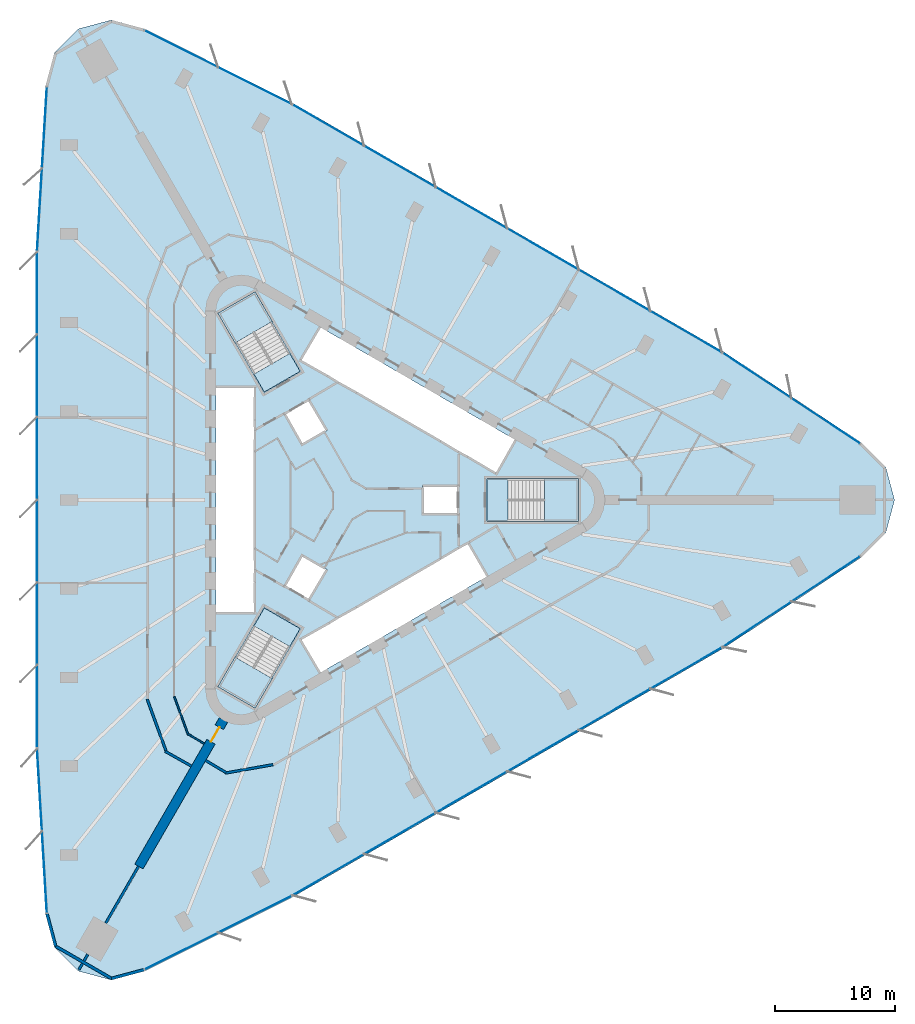
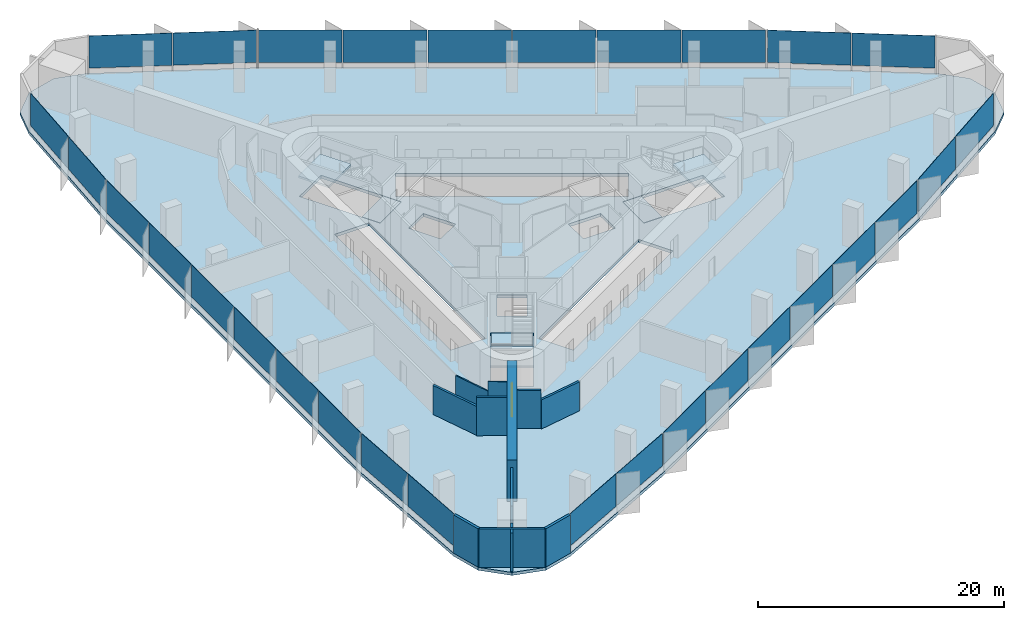
# One storey, part 8 of 14: 30 plates, 13 walls, 7 slabs, 1 door, 1 opening, 12 elements without a shape of their own.
"""IFC4 building model written with IfcOpenShell, lengths in metres."""

import ifcopenshell
import ifcopenshell.guid

model = None  # the IFC model being written
_history = None  # IfcOwnerHistory: only IFC2X3 demands one
_inside = {}  # id of a spatial element -> (the spatial element, [elements in it])
_under = {}  # id of a project, library or spatial element -> (it, [spatial elements below it])
_declared = {}  # id of a project -> (the project, [libraries it declares])
_typed = {}  # id of a type object -> (the type object, [elements of that type])
_made_of = {}  # id of a material, layer set ... -> (it, [elements and type objects made of it])


def new_model(schema):
    """Start an empty IFC model of exactly this schema.

    Asked for "IFC4X3", IfcOpenShell would pick the latest addendum, in which some entities
    have other attributes; the version numbers below select the first issue.
    IFC2X3 requires an IfcOwnerHistory on every rooted entity: one is made here for all.
    """
    global model, _history
    if schema == "IFC4X3":
        model = ifcopenshell.file(schema_version=(4, 3, 0, 0))
    else:
        model = ifcopenshell.file(schema=schema)
    _inside.clear()
    _under.clear()
    _declared.clear()
    _typed.clear()
    _made_of.clear()
    _history = None
    if model.schema == "IFC2X3":
        org = make("IfcOrganization", Name="unknown")
        user = make(
            "IfcPersonAndOrganization",
            ThePerson=make("IfcPerson", FamilyName="unknown"),
            TheOrganization=org,
        )
        app = make(
            "IfcApplication",
            ApplicationDeveloper=org,
            Version="unknown",
            ApplicationFullName="unknown",
            ApplicationIdentifier="unknown",
        )
        _history = make(
            "IfcOwnerHistory",
            OwningUser=user,
            OwningApplication=app,
            ChangeAction="ADDED",
            CreationDate=0,
        )
    return model


def make(cls, **values):
    """One entity of the class cls with the attributes given. An attribute that is None is left unset."""
    return model.create_entity(
        cls, **{name: value for name, value in values.items() if value is not None}
    )


def rooted(cls, **values):
    """An entity with a GlobalId (a new one), such as an element, a storey or a relation."""
    return make(cls, GlobalId=ifcopenshell.guid.new(), OwnerHistory=_history, **values)


def si_unit(unit_type, name, prefix=None):
    """IfcSIUnit, for example si_unit("LENGTHUNIT", "METRE", prefix="MILLI")."""
    return make("IfcSIUnit", UnitType=unit_type, Prefix=prefix, Name=name)


def assignment(units):
    """IfcUnitAssignment: the units of a project."""
    return None if units is None else make("IfcUnitAssignment", Units=units)


def point(xyz):
    """IfcCartesianPoint."""
    return None if xyz is None else make("IfcCartesianPoint", Coordinates=xyz)


def direction(xyz):
    """IfcDirection."""
    return None if xyz is None else make("IfcDirection", DirectionRatios=xyz)


def frame(location, z_axis=None, x_axis=None):
    """IfcAxis2Placement3D, a coordinate frame: its origin and axes. An axis left out is left unset."""
    return make(
        "IfcAxis2Placement3D",
        Location=point(location),
        Axis=direction(z_axis),
        RefDirection=direction(x_axis),
    )


def frame_2d(location, x_axis=None):
    """IfcAxis2Placement2D, a coordinate frame in the plane: its origin and x axis."""
    return make(
        "IfcAxis2Placement2D", Location=point(location), RefDirection=direction(x_axis)
    )


def origin():
    """The frame at (0, 0, 0) with its axes left unset."""
    return frame((0.0, 0.0, 0.0))


def origin_2d():
    """The frame at (0, 0) in the plane with its x axis left unset."""
    return frame_2d((0.0, 0.0))


def place(relative_to, where):
    """IfcLocalPlacement: puts the frame where relative to a parent placement (None: the world)."""
    return make(
        "IfcLocalPlacement", PlacementRelTo=relative_to, RelativePlacement=where
    )


def context(
    kind, dimensions, precision=None, world=None, true_north=None, identifier=None
):
    """IfcGeometricRepresentationContext, for example the 3D "Model" context."""
    return make(
        "IfcGeometricRepresentationContext",
        ContextIdentifier=identifier,
        ContextType=kind,
        CoordinateSpaceDimension=dimensions,
        Precision=precision,
        WorldCoordinateSystem=world,
        TrueNorth=true_north,
    )


def subcontext(parent, identifier, kind, view, scale=None):
    """IfcGeometricRepresentationSubContext, for example "Body" below "Model"."""
    return make(
        "IfcGeometricRepresentationSubContext",
        ContextIdentifier=identifier,
        ContextType=kind,
        ParentContext=parent,
        TargetScale=scale,
        TargetView=view,
    )


def project(units=None, contexts=None):
    """IfcProject with its units and contexts."""
    return rooted(
        "IfcProject",
        Name="project",
        RepresentationContexts=contexts,
        UnitsInContext=assignment(units),
    )


def spatial(cls, under=None, at=None, **own):
    """A site, building, storey or space (cls), placed at a placement, below another one or the project."""
    s = rooted(cls, ObjectPlacement=at, **own)
    if under is not None:
        _under.setdefault(under.id(), (under, []))[1].append(s)
    return s


def polyline(points):
    """IfcPolyline through the points."""
    return make("IfcPolyline", Points=[point(p) for p in points])


def profile(cls, at=None, kind="AREA", **sizes):
    """A parametric profile (cls). Its sizes go by their IFC names, for example OverallWidth=200.0."""
    return make(cls, ProfileType=kind, Position=at, **sizes)


def rectangle(**sizes):
    """IfcRectangleProfileDef."""
    return profile("IfcRectangleProfileDef", **sizes)


def outline(outer, holes=None, kind="AREA"):
    """IfcArbitraryClosedProfileDef: a profile drawn as a closed curve; with holes, ...WithVoids."""
    if holes is None:
        return make("IfcArbitraryClosedProfileDef", ProfileType=kind, OuterCurve=outer)
    return make(
        "IfcArbitraryProfileDefWithVoids",
        ProfileType=kind,
        OuterCurve=outer,
        InnerCurves=holes,
    )


def extrude(swept, where, along, depth):
    """IfcExtrudedAreaSolid: the profile swept, set in the frame where, extruded along a direction by depth."""
    return make(
        "IfcExtrudedAreaSolid",
        SweptArea=swept,
        Position=where,
        ExtrudedDirection=direction(along),
        Depth=depth,
    )


def shape(context_of_items, identifier, shape_type, items):
    """IfcShapeRepresentation: the items that make up one representation, for example the "Body"."""
    return make(
        "IfcShapeRepresentation",
        ContextOfItems=context_of_items,
        RepresentationIdentifier=identifier,
        RepresentationType=shape_type,
        Items=items,
    )


def material(Name=None, Category=None):
    """IfcMaterial."""
    return make("IfcMaterial", Name=Name, Category=Category)


def layer(
    of_material, thickness, ventilated=None, Name=None, Category=None, Priority=None
):
    """IfcMaterialLayer: one layer of a wall or slab, of a material (None: an air gap)."""
    return make(
        "IfcMaterialLayer",
        Material=of_material,
        LayerThickness=thickness,
        IsVentilated=ventilated,
        Name=Name,
        Category=Category,
        Priority=Priority,
    )


def layer_set(layers, Name=None):
    """IfcMaterialLayerSet."""
    return make("IfcMaterialLayerSet", MaterialLayers=layers, LayerSetName=Name)


def made_of(thing, what):
    """Note that an element or type object is made of a material, layer set ...; save() writes the relation."""
    if what is not None:
        _made_of.setdefault(what.id(), (what, []))[1].append(thing)
    return thing


def type_object(cls, material=None, **own):
    """A type object (cls), such as IfcWallType, which elements share."""
    return made_of(rooted(cls, **own), material)


def element(
    cls,
    number,
    at=None,
    inside=None,
    cuts=None,
    type_object=None,
    material=None,
    context=None,
    identifier="Body",
    shape_type=None,
    held_by="IfcProductDefinitionShape",
    body=None,
    shapes=None,
    **own,
):
    """One element of the class cls, such as IfcWall. Its Tag is "e" and its number.

    at: its placement. inside: the storey or other place that contains it. cuts: it is an
    opening in that element (IfcRelVoidsElement). A single representation is given by context,
    identifier, shape_type and body (its items); several are given by shapes. held_by: the class
    of the entity that holds the representations. save() writes the other relations.
    """
    e = rooted(cls, Tag="e%d" % number, ObjectPlacement=at, **own)
    if body is not None:
        shapes = [shape(context, identifier, shape_type, body)]
    if shapes is not None:
        e.Representation = make(held_by, Representations=shapes)
    if inside is not None:
        _inside.setdefault(inside.id(), (inside, []))[1].append(e)
    if cuts is not None:
        rooted(
            "IfcRelVoidsElement", RelatingBuildingElement=cuts, RelatedOpeningElement=e
        )
    if type_object is not None:
        _typed.setdefault(type_object.id(), (type_object, []))[1].append(e)
    return made_of(e, material)


def fill(opening, filler):
    """IfcRelFillsElement: the door or window that sits in an opening."""
    return rooted(
        "IfcRelFillsElement",
        RelatingOpeningElement=opening,
        RelatedBuildingElement=filler,
    )


def aggregate(whole, parts):
    """IfcRelAggregates: a whole, such as a stair, and the parts it consists of."""
    return rooted("IfcRelAggregates", RelatingObject=whole, RelatedObjects=parts)


def save(model, path):
    """Write the relations noted so far, then the file.

    IfcRelAggregates (storeys below a building ...), IfcRelContainedInSpatialStructure (elements
    in a storey), IfcRelDefinesByType, IfcRelAssociatesMaterial and IfcRelDeclares: one each for
    every whole, place, type object, material and project.
    """
    for whole, parts in _under.values():
        aggregate(whole, parts)
    for where, things in _inside.values():
        rooted(
            "IfcRelContainedInSpatialStructure",
            RelatedElements=things,
            RelatingStructure=where,
        )
    for kind, things in _typed.values():
        rooted("IfcRelDefinesByType", RelatedObjects=things, RelatingType=kind)
    for what, things in _made_of.values():
        rooted("IfcRelAssociatesMaterial", RelatedObjects=things, RelatingMaterial=what)
    for by, libraries in _declared.values():
        rooted("IfcRelDeclares", RelatingContext=by, RelatedDefinitions=libraries)
    model.write(path)


model = new_model("IFC4")

# Units and contexts
model_context = context("Model", 3, precision=1e-05, world=origin(), true_north=direction((0.0, 1.0)))
body_context = subcontext(model_context, "Body", "Model", "MODEL_VIEW")
ifc_project = project(units=[si_unit("LENGTHUNIT", "METRE"), si_unit("AREAUNIT", "SQUARE_METRE"), si_unit("VOLUMEUNIT", "CUBIC_METRE"), si_unit("PLANEANGLEUNIT", "RADIAN"), si_unit("MASSUNIT", "GRAM", prefix="KILO")], contexts=[model_context])

# Site, building, storey
site_placement = place(None, origin())
site = spatial("IfcSite", under=ifc_project, at=site_placement, CompositionType="ELEMENT")
building_placement = place(site_placement, origin())
building = spatial("IfcBuilding", under=site, at=building_placement, Name="Tanit Gate Tower", CompositionType="ELEMENT")
storey_placement = place(building_placement, frame((0.0, 0.0, 49.60009765625)))
storey = spatial("IfcBuildingStorey", under=building, at=storey_placement, Name="L08", CompositionType="ELEMENT", Elevation=49.60009765625)

# Slab
ifc_material_1 = material(Name="Concrete C35/45", Category="concrete")
ifc_layer_1 = layer(ifc_material_1, 0.300048828125)
ifc_layer_set_1 = layer_set([ifc_layer_1], Name="FLOOR SLAB 300 C35/45")
slab_type_1 = type_object("IfcSlabType", Name="FLOOR SLAB 300 C35/45", PredefinedType="FLOOR", material=ifc_layer_set_1)
slab_1_placement = place(storey_placement, frame((0.0, 0.0, -0.300048828125)))
element("IfcSlab", 1, at=slab_1_placement, inside=storey, type_object=slab_type_1, Name="FLOOR SLAB L08", PredefinedType="FLOOR", context=body_context, shape_type="SweptSolid", body=[
    extrude(outline(polyline([(42.5634765625, 4.75927734375), (44.574951171875, 2.747802734375), (45.311279296875, 0.0), (44.574951171875, -2.747802734375), (42.5634765625, -4.75927734375), (31.030517578125, -12.368896484375), (-4.80224609375, -33.06005859375), (-17.16015625, -39.24072265625), (-19.907958984375, -39.97705078125), (-22.655517578125, -39.24072265625), (-24.6669921875, -37.229248046875), (-25.4033203125, -34.4814453125), (-26.22705078125, -20.68896484375), (-26.229736328125, 20.68896484375), (-25.4033203125, 34.4814453125), (-24.6669921875, 37.229248046875), (-22.655517578125, 39.24072265625), (-19.907958984375, 39.97705078125), (-17.16015625, 39.24072265625), (-4.8037109375, 33.0576171875), (31.031982421875, 12.371337890625), (42.5634765625, 4.75927734375)]), holes=[polyline([(11.3701171875, 1.72998046875), (18.929931640625, 1.72998046875), (18.929931640625, -1.72998046875), (11.3701171875, -1.72998046875), (11.3701171875, 1.72998046875)]), polyline([(-4.208984375, 11.60986328125), (-2.583984375, 14.424560546875), (13.783935546875, 4.974609375), (12.158935546875, 2.159912109375), (-4.208984375, 11.60986328125)]), polyline([(-4.208984375, -11.60986328125), (9.82080078125, -3.510009765625), (11.44580078125, -6.324462890625), (-2.583984375, -14.424560546875), (-4.208984375, -11.60986328125)]), polyline([(9.0, 1.199951171875), (9.0, -1.199951171875), (6.0, -1.199951171875), (6.0, 1.199951171875), (9.0, 1.199951171875)]), polyline([(-5.539306640625, 7.194091796875), (-3.460693359375, 8.394287109375), (-1.960693359375, 5.796142578125), (-4.039306640625, 4.59619140625), (-5.539306640625, 7.194091796875)]), polyline([(-1.960693359375, -5.796142578125), (-3.460693359375, -8.394287109375), (-5.539306640625, -7.194091796875), (-4.039306640625, -4.59619140625), (-1.960693359375, -5.796142578125)]), polyline([(-10.963134765625, 15.52880859375), (-7.966796875, 17.2587890625), (-4.186767578125, 10.711669921875), (-7.18310546875, 8.981689453125), (-10.963134765625, 15.52880859375)]), polyline([(-4.186767578125, -10.711669921875), (-7.966796875, -17.2587890625), (-10.963134765625, -15.52880859375), (-7.18310546875, -8.981689453125), (-4.186767578125, -10.711669921875)]), polyline([(-11.199951171875, -9.449951171875), (-11.199951171875, 9.449951171875), (-7.949951171875, 9.449951171875), (-7.949951171875, -9.449951171875), (-11.199951171875, -9.449951171875)])]), origin(), (0.0, 0.0, 1.0), 0.300048828125),
])

# Curtain wall, plates
ifc_material_2 = material(Name="Aluminium bronze anodised and glass", Category="aluminium")
curtain_wall_type = type_object("IfcCurtainWallType", Name="Curtain wall typical low", PredefinedType="NOTDEFINED", material=ifc_material_2)
curtain_wall_1_placement = place(storey_placement, origin())
curtain_wall_1 = element("IfcCurtainWall", 2, at=curtain_wall_1_placement, inside=storey, type_object=curtain_wall_type, Name="Curtain wall L08 NE1", PredefinedType="NOTDEFINED")
ifc_material_3 = material(Name="Glass tinted", Category="glass")
ifc_layer_2 = layer(ifc_material_3, 0.031982421875)
ifc_layer_set_2 = layer_set([ifc_layer_2], Name="Glass panel 32 typical low")
plate_type = type_object("IfcPlateType", Name="Glass panel 32 typical low", PredefinedType="CURTAIN_PANEL", material=ifc_layer_set_2)
plate_1_placement = place(storey_placement, frame((39.591064453125, 6.57763671875, 0.60009765625), z_axis=(0.0, 0.0, 1.0), x_axis=(-0.834569178545, 0.550903155031, 0.0)))
plate_1 = element("IfcPlate", 3, at=plate_1_placement, type_object=plate_type, Name="Glass panel L08 NE1.1", PredefinedType="CURTAIN_PANEL", context=body_context, shape_type="SweptSolid", body=[
    extrude(rectangle(XDim=6.78076171875, YDim=0.031982421875, at=origin_2d()), origin(), (0.0, 0.0, 1.0), 3.199951171875),
])
plate_2_placement = place(storey_placement, frame((33.865234375, 10.357421875, 0.60009765625), z_axis=(0.0, 0.0, 1.0), x_axis=(-0.834569178545, 0.550903155031, 0.0)))
plate_2 = element("IfcPlate", 4, at=plate_2_placement, type_object=plate_type, Name="Glass panel L08 NE1.2", PredefinedType="CURTAIN_PANEL", context=body_context, shape_type="SweptSolid", body=[
    extrude(rectangle(XDim=6.78076171875, YDim=0.031982421875, at=origin_2d()), origin(), (0.0, 0.0, 1.0), 3.199951171875),
])
aggregate(curtain_wall_1, [plate_1, plate_2])

curtain_wall_2_placement = place(storey_placement, origin())
curtain_wall_2 = element("IfcCurtainWall", 5, at=curtain_wall_2_placement, inside=storey, type_object=curtain_wall_type, Name="Curtain wall L08 NE2", PredefinedType="NOTDEFINED")
plate_3_placement = place(storey_placement, frame((27.954345703125, 14.00927734375, 0.60009765625), z_axis=(0.0, 0.0, 1.0), x_axis=(-0.866060071089, 0.49993994966, 0.0)))
plate_3 = element("IfcPlate", 6, at=plate_3_placement, type_object=plate_type, Name="Glass panel L08 NE2.1", PredefinedType="CURTAIN_PANEL", context=body_context, shape_type="SweptSolid", body=[
    extrude(rectangle(XDim=6.8017578125, YDim=0.031982421875, at=origin_2d()), origin(), (0.0, 0.0, 1.0), 3.199951171875),
])
plate_4_placement = place(storey_placement, frame((21.994140625, 17.449951171875, 0.60009765625), z_axis=(0.0, 0.0, 1.0), x_axis=(-0.866060071089, 0.49993994966, 0.0)))
plate_4 = element("IfcPlate", 7, at=plate_4_placement, type_object=plate_type, Name="Glass panel L08 NE2.2", PredefinedType="CURTAIN_PANEL", context=body_context, shape_type="SweptSolid", body=[
    extrude(rectangle(XDim=6.8017578125, YDim=0.031982421875, at=origin_2d()), origin(), (0.0, 0.0, 1.0), 3.199951171875),
])
plate_5_placement = place(storey_placement, frame((16.0341796875, 20.890380859375, 0.60009765625), z_axis=(0.0, 0.0, 1.0), x_axis=(-0.866060071089, 0.49993994966, 0.0)))
plate_5 = element("IfcPlate", 8, at=plate_5_placement, type_object=plate_type, Name="Glass panel L08 NE2.3", PredefinedType="CURTAIN_PANEL", context=body_context, shape_type="SweptSolid", body=[
    extrude(rectangle(XDim=6.8017578125, YDim=0.031982421875, at=origin_2d()), origin(), (0.0, 0.0, 1.0), 3.199951171875),
])
plate_6_placement = place(storey_placement, frame((10.07421875, 24.330810546875, 0.60009765625), z_axis=(0.0, 0.0, 1.0), x_axis=(-0.866060071089, 0.49993994966, 0.0)))
plate_6 = element("IfcPlate", 9, at=plate_6_placement, type_object=plate_type, Name="Glass panel L08 NE2.4", PredefinedType="CURTAIN_PANEL", context=body_context, shape_type="SweptSolid", body=[
    extrude(rectangle(XDim=6.8017578125, YDim=0.031982421875, at=origin_2d()), origin(), (0.0, 0.0, 1.0), 3.199951171875),
])
plate_7_placement = place(storey_placement, frame((4.1142578125, 27.771240234375, 0.60009765625), z_axis=(0.0, 0.0, 1.0), x_axis=(-0.866060071089, 0.49993994966, 0.0)))
plate_7 = element("IfcPlate", 10, at=plate_7_placement, type_object=plate_type, Name="Glass panel L08 NE2.5", PredefinedType="CURTAIN_PANEL", context=body_context, shape_type="SweptSolid", body=[
    extrude(rectangle(XDim=6.8017578125, YDim=0.031982421875, at=origin_2d()), origin(), (0.0, 0.0, 1.0), 3.199951171875),
])
plate_8_placement = place(storey_placement, frame((-1.845703125, 31.211669921875, 0.60009765625), z_axis=(0.0, 0.0, 1.0), x_axis=(-0.866060071089, 0.49993994966, 0.0)))
plate_8 = element("IfcPlate", 11, at=plate_8_placement, type_object=plate_type, Name="Glass panel L08 NE2.6", PredefinedType="CURTAIN_PANEL", context=body_context, shape_type="SweptSolid", body=[
    extrude(rectangle(XDim=6.8017578125, YDim=0.031982421875, at=origin_2d()), origin(), (0.0, 0.0, 1.0), 3.199951171875),
])
aggregate(curtain_wall_2, [plate_3, plate_4, plate_5, plate_6, plate_7, plate_8])

curtain_wall_3_placement = place(storey_placement, origin())
curtain_wall_3 = element("IfcCurtainWall", 12, at=curtain_wall_3_placement, inside=storey, type_object=curtain_wall_type, Name="Curtain wall L08 NE3", PredefinedType="NOTDEFINED")
plate_9_placement = place(storey_placement, frame((-7.9638671875, 34.5048828125, 0.60009765625), z_axis=(0.0, 0.0, 1.0), x_axis=(-0.894287982019, 0.447491905196, 0.0)))
plate_9 = element("IfcPlate", 13, at=plate_9_placement, type_object=plate_type, Name="Glass panel L08 NE3.1", PredefinedType="CURTAIN_PANEL", context=body_context, shape_type="SweptSolid", body=[
    extrude(rectangle(XDim=6.78076171875, YDim=0.031982421875, at=origin_2d()), origin(), (0.0, 0.0, 1.0), 3.199951171875),
])
plate_10_placement = place(storey_placement, frame((-14.099365234375, 37.574951171875, 0.60009765625), z_axis=(0.0, 0.0, 1.0), x_axis=(-0.894287982019, 0.447491905196, 0.0)))
plate_10 = element("IfcPlate", 14, at=plate_10_placement, type_object=plate_type, Name="Glass panel L08 NE3.2", PredefinedType="CURTAIN_PANEL", context=body_context, shape_type="SweptSolid", body=[
    extrude(rectangle(XDim=6.78076171875, YDim=0.031982421875, at=origin_2d()), origin(), (0.0, 0.0, 1.0), 3.199951171875),
])
aggregate(curtain_wall_3, [plate_9, plate_10])

curtain_wall_4_placement = place(storey_placement, origin())
curtain_wall_4 = element("IfcCurtainWall", 15, at=curtain_wall_4_placement, inside=storey, type_object=curtain_wall_type, Name="Curtain wall L08 W1", PredefinedType="NOTDEFINED")
plate_11_placement = place(storey_placement, frame((-25.491943359375, 30.998046875, 0.60009765625), z_axis=(0.0, 0.0, 1.0), x_axis=(-0.059811538009, -0.998209687351, 0.0)))
plate_11 = element("IfcPlate", 16, at=plate_11_placement, type_object=plate_type, Name="Glass panel L08 W1.1", PredefinedType="CURTAIN_PANEL", context=body_context, shape_type="SweptSolid", body=[
    extrude(rectangle(XDim=6.78076171875, YDim=0.031982421875, at=origin_2d()), origin(), (0.0, 0.0, 1.0), 3.199951171875),
])
plate_12_placement = place(storey_placement, frame((-25.90234375, 24.1494140625, 0.60009765625), z_axis=(0.0, 0.0, 1.0), x_axis=(-0.059811538009, -0.998209687351, 0.0)))
plate_12 = element("IfcPlate", 17, at=plate_12_placement, type_object=plate_type, Name="Glass panel L08 W1.2", PredefinedType="CURTAIN_PANEL", context=body_context, shape_type="SweptSolid", body=[
    extrude(rectangle(XDim=6.78076171875, YDim=0.031982421875, at=origin_2d()), origin(), (0.0, 0.0, 1.0), 3.199951171875),
])
aggregate(curtain_wall_4, [plate_11, plate_12])

curtain_wall_5_placement = place(storey_placement, origin())
curtain_wall_5 = element("IfcCurtainWall", 18, at=curtain_wall_5_placement, inside=storey, type_object=curtain_wall_type, Name="Curtain wall L08 W2", PredefinedType="NOTDEFINED")
plate_13_placement = place(storey_placement, frame((-26.109619140625, 17.204345703125, 0.60009765625), z_axis=(0.0, 0.0, 1.0), x_axis=(6.9338772e-05, -0.999999997596, 0.0)))
plate_13 = element("IfcPlate", 19, at=plate_13_placement, type_object=plate_type, Name="Glass panel L08 W2.1", PredefinedType="CURTAIN_PANEL", context=body_context, shape_type="SweptSolid", body=[
    extrude(rectangle(XDim=6.8017578125, YDim=0.031982421875, at=origin_2d()), origin(), (0.0, 0.0, 1.0), 3.199951171875),
])
plate_14_placement = place(storey_placement, frame((-26.109130859375, 10.322509765625, 0.60009765625), z_axis=(0.0, 0.0, 1.0), x_axis=(6.9338772e-05, -0.999999997596, 0.0)))
plate_14 = element("IfcPlate", 20, at=plate_14_placement, type_object=plate_type, Name="Glass panel L08 W2.2", PredefinedType="CURTAIN_PANEL", context=body_context, shape_type="SweptSolid", body=[
    extrude(rectangle(XDim=6.8017578125, YDim=0.031982421875, at=origin_2d()), origin(), (0.0, 0.0, 1.0), 3.199951171875),
])
plate_15_placement = place(storey_placement, frame((-26.108642578125, 3.44091796875, 0.60009765625), z_axis=(0.0, 0.0, 1.0), x_axis=(6.9338772e-05, -0.999999997596, 0.0)))
plate_15 = element("IfcPlate", 21, at=plate_15_placement, type_object=plate_type, Name="Glass panel L08 W2.3", PredefinedType="CURTAIN_PANEL", context=body_context, shape_type="SweptSolid", body=[
    extrude(rectangle(XDim=6.8017578125, YDim=0.031982421875, at=origin_2d()), origin(), (0.0, 0.0, 1.0), 3.199951171875),
])
plate_16_placement = place(storey_placement, frame((-26.108154296875, -3.44091796875, 0.60009765625), z_axis=(0.0, 0.0, 1.0), x_axis=(6.9338772e-05, -0.999999997596, 0.0)))
plate_16 = element("IfcPlate", 22, at=plate_16_placement, type_object=plate_type, Name="Glass panel L08 W2.4", PredefinedType="CURTAIN_PANEL", context=body_context, shape_type="SweptSolid", body=[
    extrude(rectangle(XDim=6.8017578125, YDim=0.031982421875, at=origin_2d()), origin(), (0.0, 0.0, 1.0), 3.199951171875),
])
plate_17_placement = place(storey_placement, frame((-26.107666015625, -10.322509765625, 0.60009765625), z_axis=(0.0, 0.0, 1.0), x_axis=(6.9338772e-05, -0.999999997596, 0.0)))
plate_17 = element("IfcPlate", 23, at=plate_17_placement, type_object=plate_type, Name="Glass panel L08 W2.5", PredefinedType="CURTAIN_PANEL", context=body_context, shape_type="SweptSolid", body=[
    extrude(rectangle(XDim=6.8017578125, YDim=0.031982421875, at=origin_2d()), origin(), (0.0, 0.0, 1.0), 3.199951171875),
])
plate_18_placement = place(storey_placement, frame((-26.107177734375, -17.204345703125, 0.60009765625), z_axis=(0.0, 0.0, 1.0), x_axis=(6.9338772e-05, -0.999999997596, 0.0)))
plate_18 = element("IfcPlate", 24, at=plate_18_placement, type_object=plate_type, Name="Glass panel L08 W2.6", PredefinedType="CURTAIN_PANEL", context=body_context, shape_type="SweptSolid", body=[
    extrude(rectangle(XDim=6.8017578125, YDim=0.031982421875, at=origin_2d()), origin(), (0.0, 0.0, 1.0), 3.199951171875),
])
aggregate(curtain_wall_5, [plate_13, plate_14, plate_15, plate_16, plate_17, plate_18])

curtain_wall_6_placement = place(storey_placement, origin())
curtain_wall_6 = element("IfcCurtainWall", 25, at=curtain_wall_6_placement, inside=storey, type_object=curtain_wall_type, Name="Curtain wall L08 W3", PredefinedType="NOTDEFINED")
plate_19_placement = place(storey_placement, frame((-25.900146484375, -24.1494140625, 0.60009765625), z_axis=(0.0, 0.0, 1.0), x_axis=(0.059604633121, -0.998222063326, 0.0)))
plate_19 = element("IfcPlate", 26, at=plate_19_placement, type_object=plate_type, Name="Glass panel L08 W3.1", PredefinedType="CURTAIN_PANEL", context=body_context, shape_type="SweptSolid", body=[
    extrude(rectangle(XDim=6.78076171875, YDim=0.031982421875, at=origin_2d()), origin(), (0.0, 0.0, 1.0), 3.199951171875),
])
plate_20_placement = place(storey_placement, frame((-25.4912109375, -30.998046875, 0.60009765625), z_axis=(0.0, 0.0, 1.0), x_axis=(0.059604633121, -0.998222063326, 0.0)))
plate_20 = element("IfcPlate", 27, at=plate_20_placement, type_object=plate_type, Name="Glass panel L08 W3.2", PredefinedType="CURTAIN_PANEL", context=body_context, shape_type="SweptSolid", body=[
    extrude(rectangle(XDim=6.78076171875, YDim=0.031982421875, at=origin_2d()), origin(), (0.0, 0.0, 1.0), 3.199951171875),
])
aggregate(curtain_wall_6, [plate_19, plate_20])

curtain_wall_7_placement = place(storey_placement, origin())
curtain_wall_7 = element("IfcCurtainWall", 28, at=curtain_wall_7_placement, inside=storey, type_object=curtain_wall_type, Name="Curtain wall L08 SE1", PredefinedType="NOTDEFINED")
plate_21_placement = place(storey_placement, frame((-14.09912109375, -37.57568359375, 0.60009765625), z_axis=(0.0, 0.0, 1.0), x_axis=(0.894380716554, 0.44730653232, 0.0)))
plate_21 = element("IfcPlate", 29, at=plate_21_placement, type_object=plate_type, Name="Glass panel L08 SE1.1", PredefinedType="CURTAIN_PANEL", context=body_context, shape_type="SweptSolid", body=[
    extrude(rectangle(XDim=6.78076171875, YDim=0.031982421875, at=origin_2d()), origin(), (0.0, 0.0, 1.0), 3.199951171875),
])
plate_22_placement = place(storey_placement, frame((-7.962890625, -34.5068359375, 0.60009765625), z_axis=(0.0, 0.0, 1.0), x_axis=(0.894380716554, 0.44730653232, 0.0)))
plate_22 = element("IfcPlate", 30, at=plate_22_placement, type_object=plate_type, Name="Glass panel L08 SE1.2", PredefinedType="CURTAIN_PANEL", context=body_context, shape_type="SweptSolid", body=[
    extrude(rectangle(XDim=6.78076171875, YDim=0.031982421875, at=origin_2d()), origin(), (0.0, 0.0, 1.0), 3.199951171875),
])
aggregate(curtain_wall_7, [plate_21, plate_22])

curtain_wall_8_placement = place(storey_placement, origin())
curtain_wall_8 = element("IfcCurtainWall", 31, at=curtain_wall_8_placement, inside=storey, type_object=curtain_wall_type, Name="Curtain wall L08 SE2", PredefinedType="NOTDEFINED")
plate_23_placement = place(storey_placement, frame((-1.8447265625, -31.2138671875, 0.60009765625), z_axis=(0.0, 0.0, 1.0), x_axis=(0.865990732317, 0.500060047936, 0.0)))
plate_23 = element("IfcPlate", 32, at=plate_23_placement, type_object=plate_type, Name="Glass panel L08 SE2.1", PredefinedType="CURTAIN_PANEL", context=body_context, shape_type="SweptSolid", body=[
    extrude(rectangle(XDim=6.8017578125, YDim=0.031982421875, at=origin_2d()), origin(), (0.0, 0.0, 1.0), 3.199951171875),
])
plate_24_placement = place(storey_placement, frame((4.114990234375, -27.7724609375, 0.60009765625), z_axis=(0.0, 0.0, 1.0), x_axis=(0.865990732317, 0.500060047936, 0.0)))
plate_24 = element("IfcPlate", 33, at=plate_24_placement, type_object=plate_type, Name="Glass panel L08 SE2.2", PredefinedType="CURTAIN_PANEL", context=body_context, shape_type="SweptSolid", body=[
    extrude(rectangle(XDim=6.8017578125, YDim=0.031982421875, at=origin_2d()), origin(), (0.0, 0.0, 1.0), 3.199951171875),
])
plate_25_placement = place(storey_placement, frame((10.074462890625, -24.331298828125, 0.60009765625), z_axis=(0.0, 0.0, 1.0), x_axis=(0.865990732317, 0.500060047936, 0.0)))
plate_25 = element("IfcPlate", 34, at=plate_25_placement, type_object=plate_type, Name="Glass panel L08 SE2.3", PredefinedType="CURTAIN_PANEL", context=body_context, shape_type="SweptSolid", body=[
    extrude(rectangle(XDim=6.8017578125, YDim=0.031982421875, at=origin_2d()), origin(), (0.0, 0.0, 1.0), 3.199951171875),
])
plate_26_placement = place(storey_placement, frame((16.033935546875, -20.889892578125, 0.60009765625), z_axis=(0.0, 0.0, 1.0), x_axis=(0.865990732317, 0.500060047936, 0.0)))
plate_26 = element("IfcPlate", 35, at=plate_26_placement, type_object=plate_type, Name="Glass panel L08 SE2.4", PredefinedType="CURTAIN_PANEL", context=body_context, shape_type="SweptSolid", body=[
    extrude(rectangle(XDim=6.8017578125, YDim=0.031982421875, at=origin_2d()), origin(), (0.0, 0.0, 1.0), 3.199951171875),
])
plate_27_placement = place(storey_placement, frame((21.993408203125, -17.44873046875, 0.60009765625), z_axis=(0.0, 0.0, 1.0), x_axis=(0.865990732317, 0.500060047936, 0.0)))
plate_27 = element("IfcPlate", 36, at=plate_27_placement, type_object=plate_type, Name="Glass panel L08 SE2.5", PredefinedType="CURTAIN_PANEL", context=body_context, shape_type="SweptSolid", body=[
    extrude(rectangle(XDim=6.8017578125, YDim=0.031982421875, at=origin_2d()), origin(), (0.0, 0.0, 1.0), 3.199951171875),
])
plate_28_placement = place(storey_placement, frame((27.953125, -14.00732421875, 0.60009765625), z_axis=(0.0, 0.0, 1.0), x_axis=(0.865990732317, 0.500060047936, 0.0)))
plate_28 = element("IfcPlate", 37, at=plate_28_placement, type_object=plate_type, Name="Glass panel L08 SE2.6", PredefinedType="CURTAIN_PANEL", context=body_context, shape_type="SweptSolid", body=[
    extrude(rectangle(XDim=6.8017578125, YDim=0.031982421875, at=origin_2d()), origin(), (0.0, 0.0, 1.0), 3.199951171875),
])
aggregate(curtain_wall_8, [plate_23, plate_24, plate_25, plate_26, plate_27, plate_28])

curtain_wall_9_placement = place(storey_placement, origin())
curtain_wall_9 = element("IfcCurtainWall", 38, at=curtain_wall_9_placement, inside=storey, type_object=curtain_wall_type, Name="Curtain wall L08 SE3", PredefinedType="NOTDEFINED")
plate_29_placement = place(storey_placement, frame((33.864013671875, -10.35546875, 0.60009765625), z_axis=(0.0, 0.0, 1.0), x_axis=(0.834683348898, 0.550730158129, 0.0)))
plate_29 = element("IfcPlate", 39, at=plate_29_placement, type_object=plate_type, Name="Glass panel L08 SE3.1", PredefinedType="CURTAIN_PANEL", context=body_context, shape_type="SweptSolid", body=[
    extrude(rectangle(XDim=6.78076171875, YDim=0.031982421875, at=origin_2d()), origin(), (0.0, 0.0, 1.0), 3.199951171875),
])
plate_30_placement = place(storey_placement, frame((39.590576171875, -6.5771484375, 0.60009765625), z_axis=(0.0, 0.0, 1.0), x_axis=(0.834683348898, 0.550730158129, 0.0)))
plate_30 = element("IfcPlate", 40, at=plate_30_placement, type_object=plate_type, Name="Glass panel L08 SE3.2", PredefinedType="CURTAIN_PANEL", context=body_context, shape_type="SweptSolid", body=[
    extrude(rectangle(XDim=6.78076171875, YDim=0.031982421875, at=origin_2d()), origin(), (0.0, 0.0, 1.0), 3.199951171875),
])
aggregate(curtain_wall_9, [plate_29, plate_30])

# Stair, slab
ifc_material_4 = material(Name="Concrete C40/50", Category="concrete")
stair_type = type_object("IfcStairType", Name="INT-STAIR-EXIT", PredefinedType="HALF_TURN_STAIR", material=ifc_material_4)
stair_1_placement = place(storey_placement, origin())
stair_1 = element("IfcStair", 41, at=stair_1_placement, inside=storey, type_object=stair_type, Name="L08 STAIR S1", PredefinedType="HALF_TURN_STAIR")
ifc_material_5 = material(Name="Concrete C40/50", Category="concrete")
ifc_layer_3 = layer(ifc_material_5, 0.199951171875)
ifc_layer_set_3 = layer_set([ifc_layer_3], Name="INT-STAIR-LANDING")
slab_type_2 = type_object("IfcSlabType", Name="INT-STAIR-LANDING", PredefinedType="LANDING", material=ifc_layer_set_3)
slab_2_placement = place(storey_placement, frame((0.0, 0.0, 1.849853515625)))
slab_2 = element("IfcSlab", 42, at=slab_2_placement, type_object=slab_type_2, Name="S1 landing 1", PredefinedType="LANDING", context=body_context, shape_type="SweptSolid", body=[
    extrude(outline(polyline([(16.135986328125, -1.800048828125), (19.0, -1.800048828125), (19.0, 1.800048828125), (16.135986328125, 1.800048828125), (16.135986328125, -1.800048828125)])), origin(), (0.0, 0.0, 1.0), 0.199951171875),
])
aggregate(stair_1, [slab_2])

# Slab
slab_3_placement = place(storey_placement, frame((0.0, 0.0, -0.2001953125)))
element("IfcSlab", 43, at=slab_3_placement, inside=storey, type_object=slab_type_2, Name="S1 floor landing", PredefinedType="LANDING", context=body_context, shape_type="SweptSolid", body=[
    extrude(outline(polyline([(11.3798828125, -1.719970703125), (13.10498046875, -1.719970703125), (13.10498046875, 1.719970703125), (11.3798828125, 1.719970703125), (11.3798828125, -1.719970703125)])), origin(), (0.0, 0.0, 1.0), 0.2001953125),
])

# Stair, slab
stair_2_placement = place(storey_placement, origin())
stair_2 = element("IfcStair", 44, at=stair_2_placement, inside=storey, type_object=stair_type, Name="L08 STAIR S2", PredefinedType="HALF_TURN_STAIR")
slab_4_placement = place(storey_placement, frame((0.0, 0.0, 1.849853515625)))
slab_4 = element("IfcSlab", 45, at=slab_4_placement, type_object=slab_type_2, Name="S2 landing 1", PredefinedType="LANDING", context=body_context, shape_type="SweptSolid", body=[
    extrude(outline(polyline([(-6.5078125, 14.871826171875), (-7.941162109375, 17.3544921875), (-11.058837890625, 15.554443359375), (-9.62548828125, 13.07177734375), (-6.5078125, 14.871826171875)])), origin(), (0.0, 0.0, 1.0), 0.199951171875),
])
aggregate(stair_2, [slab_4])

# Slab
slab_5_placement = place(storey_placement, frame((0.0, 0.0, -0.2001953125)))
element("IfcSlab", 46, at=slab_5_placement, inside=storey, type_object=slab_type_2, Name="S2 floor landing", PredefinedType="LANDING", context=body_context, shape_type="SweptSolid", body=[
    extrude(outline(polyline([(-4.200439453125, 10.71533203125), (-5.0625, 12.20849609375), (-8.04150390625, 10.48828125), (-7.179443359375, 8.995361328125), (-4.200439453125, 10.71533203125)])), origin(), (0.0, 0.0, 1.0), 0.2001953125),
])

# Stair, slab
stair_3_placement = place(storey_placement, origin())
stair_3 = element("IfcStair", 47, at=stair_3_placement, inside=storey, type_object=stair_type, Name="L08 STAIR S3", PredefinedType="HALF_TURN_STAIR")
slab_6_placement = place(storey_placement, frame((0.0, 0.0, 1.849853515625)))
slab_6 = element("IfcSlab", 48, at=slab_6_placement, type_object=slab_type_2, Name="S3 landing 1", PredefinedType="LANDING", context=body_context, shape_type="SweptSolid", body=[
    extrude(outline(polyline([(-9.626953125, -13.07421875), (-11.058837890625, -15.554443359375), (-7.941162109375, -17.3544921875), (-6.509033203125, -14.874267578125), (-9.626953125, -13.07421875)])), origin(), (0.0, 0.0, 1.0), 0.199951171875),
])
aggregate(stair_3, [slab_6])

# Slab
slab_7_placement = place(storey_placement, frame((0.0, 0.0, -0.2001953125)))
element("IfcSlab", 49, at=slab_7_placement, inside=storey, type_object=slab_type_2, Name="S3 floor landing", PredefinedType="LANDING", context=body_context, shape_type="SweptSolid", body=[
    extrude(outline(polyline([(-7.179443359375, -8.995361328125), (-8.0419921875, -10.4892578125), (-5.06298828125, -12.209228515625), (-4.200439453125, -10.71533203125), (-7.179443359375, -8.995361328125)])), origin(), (0.0, 0.0, 1.0), 0.2001953125),
])

# Wall, opening, door
ifc_material_6 = material(Name="Concrete C60/75", Category="concrete")
ifc_layer_4 = layer(ifc_material_6, 0.800048828125)
ifc_layer_set_4 = layer_set([ifc_layer_4], Name="BUTTRESS FIN 800 C60/75")
wall_type_1 = type_object("IfcWallType", Name="BUTTRESS FIN 800 C60/75", PredefinedType="SHEAR", material=ifc_layer_set_4)
wall_1_placement = place(storey_placement, frame((-10.574951171875, -18.31640625, 0.0), z_axis=(0.0, 0.0, 1.0), x_axis=(-0.499996272984, -0.866027555568, 0.0)))
wall_1 = element("IfcWall", 50, at=wall_1_placement, inside=storey, type_object=wall_type_1, Name="BUTTRESS FIN", PredefinedType="SHEAR", context=body_context, shape_type="SweptSolid", body=[
    extrude(rectangle(XDim=14.09814453125, YDim=0.800048828125, at=frame_2d((7.049072265625, 0.0))), origin(), (0.0, 0.0, 1.0), 4.099853515625),
])
opening_placement = place(wall_1_placement, frame((0.699951171875, 0.0, 0.0)))
opening = element("IfcOpeningElement", 51, at=opening_placement, cuts=wall_1, Name="Opening P14-S00-F-SW-1", PredefinedType="OPENING", context=body_context, shape_type="SweptSolid", body=[
    extrude(rectangle(XDim=1.39990234375, YDim=2.39990234375, at=frame_2d((0.699951171875, 1.199951171875))), frame((0.0, 0.41015625, 0.0), z_axis=(0.0, -1.0, 0.0), x_axis=(1.0, 0.0, 0.0)), (0.0, 0.0, 1.0), 0.820068359375),
])
ifc_material_7 = material(Name="Timber door leaf", Category="wood")
door_type = type_object("IfcDoorType", Name="INT-DOOR-FIN-PAIR-1400", OperationType="NOTDEFINED", PredefinedType="NOTDEFINED", material=ifc_material_7)
door_placement = place(opening_placement, origin())
door = element("IfcDoor", 52, at=door_placement, inside=storey, type_object=door_type, Name="Door P14-S00-F-SW-1", OperationType="DOUBLE_DOOR_SINGLE_SWING", OverallHeight=2.39990234375, OverallWidth=1.39990234375, PredefinedType="NOTDEFINED", context=body_context, shape_type="SweptSolid", body=[
    extrude(rectangle(XDim=1.39990234375, YDim=2.39990234375, at=frame_2d((0.699951171875, 1.199951171875))), frame((0.0, 0.02490234375, 0.0), z_axis=(0.0, -1.0, 0.0), x_axis=(1.0, 0.0, 0.0)), (0.0, 0.0, 1.0), 0.050048828125),
])
fill(opening, door)

# Walls
ifc_material_8 = material(Name="Concrete C30/37 with bronze anodised aluminium cladding", Category="concrete")
ifc_layer_5 = layer(ifc_material_8, 0.239990234375)
ifc_layer_set_5 = layer_set([ifc_layer_5], Name="Facade wall bronze clad 240")
wall_type_2 = type_object("IfcWallType", Name="Facade wall bronze clad 240", PredefinedType="SOLIDWALL", material=ifc_layer_set_5)
wall_2_placement = place(storey_placement, frame((-25.284423828125, -34.462158203125, 0.0), z_axis=(0.0, 0.0, 1.0), x_axis=(0.258850842196, -0.965917305723, 0.0)))
element("IfcWall", 53, at=wall_2_placement, inside=storey, type_object=wall_type_2, Name="Bronze-clad facade wall L08 SW.arc1", PredefinedType="SOLIDWALL", context=body_context, shape_type="SweptSolid", body=[
    extrude(rectangle(XDim=2.80029296875, YDim=0.239990234375, at=frame_2d((1.400146484375, 0.0))), origin(), (0.0, 0.0, 1.0), 3.7998046875),
])
wall_3_placement = place(storey_placement, frame((-24.5595703125, -37.1669921875, 0.0), z_axis=(0.0, 0.0, 1.0), x_axis=(0.866010734295, -0.500025407441, 0.0)))
element("IfcWall", 54, at=wall_3_placement, inside=storey, type_object=wall_type_2, Name="Bronze-clad facade wall L08 SW.arc2", PredefinedType="SOLIDWALL", context=body_context, shape_type="SweptSolid", body=[
    extrude(rectangle(XDim=5.371337890625, YDim=0.239990234375, at=frame_2d((2.685546875, 0.0))), origin(), (0.0, 0.0, 1.0), 3.7998046875),
])
wall_4_placement = place(storey_placement, frame((-19.907958984375, -39.852783203125, 0.0), z_axis=(0.0, 0.0, 1.0), x_axis=(0.965923146675, 0.25882904535, 0.0)))
element("IfcWall", 55, at=wall_4_placement, inside=storey, type_object=wall_type_2, Name="Bronze-clad facade wall L08 SW.arc3", PredefinedType="SOLIDWALL", context=body_context, shape_type="SweptSolid", body=[
    extrude(rectangle(XDim=2.800537109375, YDim=0.239990234375, at=frame_2d((1.400390625, 0.0))), origin(), (0.0, 0.0, 1.0), 3.7998046875),
])
ifc_material_9 = material(Name="Fire-rated gypsum board partition")
ifc_layer_6 = layer(ifc_material_9, 0.199951171875)
ifc_layer_set_6 = layer_set([ifc_layer_6], Name="INT-WALL-COMPARTMENT")
wall_type_3 = type_object("IfcWallType", Name="INT-WALL-COMPARTMENT", PredefinedType="PARTITIONING", material=ifc_layer_set_6)
wall_5_placement = place(storey_placement, frame((-15.434814453125, -20.934814453125, 0.0), z_axis=(0.0, 0.0, 1.0), x_axis=(0.871392892797, -0.490585799206, 0.0)))
element("IfcWall", 56, at=wall_5_placement, inside=storey, type_object=wall_type_3, Name="Wall Compartment W093", PredefinedType="PARTITIONING", context=body_context, shape_type="SweptSolid", body=[
    extrude(rectangle(XDim=2.499755859375, YDim=0.199951171875, at=frame_2d((1.25, 0.0))), origin(), (0.0, 0.0, 1.0), 3.7998046875),
])
wall_6_placement = place(storey_placement, frame((-16.93408203125, -16.593505859375, 0.0), z_axis=(0.0, 0.0, 1.0), x_axis=(0.342009657388, -0.939696437289, 0.0)))
element("IfcWall", 57, at=wall_6_placement, inside=storey, type_object=wall_type_3, Name="Wall Compartment W094", PredefinedType="PARTITIONING", context=body_context, shape_type="SweptSolid", body=[
    extrude(rectangle(XDim=4.632080078125, YDim=0.199951171875, at=frame_2d((2.31591796875, 0.0))), origin(), (0.0, 0.0, 1.0), 2.8798828125),
])
wall_7_placement = place(storey_placement, frame((-10.442626953125, -22.7470703125, 0.0), z_axis=(0.0, 0.0, 1.0), x_axis=(0.984812020794, 0.173623972133, 0.0)))
element("IfcWall", 58, at=wall_7_placement, inside=storey, type_object=wall_type_3, Name="Wall Compartment W113", PredefinedType="PARTITIONING", context=body_context, shape_type="SweptSolid", body=[
    extrude(rectangle(XDim=4.056640625, YDim=0.199951171875, at=frame_2d((2.0283203125, 0.0))), origin(), (0.0, 0.0, 1.0), 2.8798828125),
])
wall_8_placement = place(storey_placement, frame((-12.064208984375, -21.69580078125, 0.0), z_axis=(0.0, 0.0, 1.0), x_axis=(0.859769731383, -0.510681905885, 0.0)))
element("IfcWall", 59, at=wall_8_placement, inside=storey, type_object=wall_type_3, Name="Wall Compartment W114", PredefinedType="PARTITIONING", context=body_context, shape_type="SweptSolid", body=[
    extrude(rectangle(XDim=1.97021484375, YDim=0.199951171875, at=frame_2d((0.985107421875, 0.0))), origin(), (0.0, 0.0, 1.0), 3.7998046875),
])
wall_9_placement = place(storey_placement, frame((-17.650146484375, -30.5107421875, 0.0), z_axis=(0.0, 0.0, 1.0), x_axis=(-0.499984217882, -0.866034515403, 0.0)))
element("IfcWall", 60, at=wall_9_placement, inside=storey, type_object=wall_type_3, Name="Wall Compartment W117", PredefinedType="PARTITIONING", context=body_context, shape_type="SweptSolid", body=[
    extrude(rectangle(XDim=5.463134765625, YDim=0.199951171875, at=frame_2d((2.7314453125, 0.0))), origin(), (0.0, 0.0, 1.0), 3.369873046875),
])
wall_10_placement = place(storey_placement, frame((-21.881591796875, -37.840087890625, 0.0), z_axis=(0.0, 0.0, 1.0), x_axis=(-0.499977104415, -0.866038622153, 0.0)))
element("IfcWall", 61, at=wall_10_placement, inside=storey, type_object=wall_type_3, Name="Wall Compartment W116", PredefinedType="PARTITIONING", context=body_context, shape_type="SweptSolid", body=[
    extrude(rectangle(XDim=0.63623046875, YDim=0.199951171875, at=frame_2d((0.318115234375, 0.0))), origin(), (0.0, 0.0, 1.0), 3.7998046875),
])
wall_11_placement = place(storey_placement, frame((-22.319580078125, -38.598876953125, 0.0), z_axis=(0.0, 0.0, 1.0), x_axis=(-0.500222587251, -0.865896854829, 0.0)))
element("IfcWall", 62, at=wall_11_placement, inside=storey, type_object=wall_type_3, Name="Wall Compartment W116x1", PredefinedType="PARTITIONING", context=body_context, shape_type="SweptSolid", body=[
    extrude(rectangle(XDim=0.591552734375, YDim=0.199951171875, at=frame_2d((0.2958984375, 0.0))), origin(), (0.0, 0.0, 1.0), 3.7998046875),
])
ifc_material_10 = material(Name="Gypsum board partition")
ifc_layer_7 = layer(ifc_material_10, 0.1201171875)
ifc_layer_set_7 = layer_set([ifc_layer_7], Name="INT-WALL-PARTITION")
wall_type_4 = type_object("IfcWallType", Name="INT-WALL-PARTITION", PredefinedType="PARTITIONING", material=ifc_layer_set_7)
wall_12_placement = place(storey_placement, frame((-14.679443359375, -16.35595703125, 0.0), z_axis=(0.0, 0.0, 1.0), x_axis=(0.342002052592, -0.939699205077, 0.0)))
element("IfcWall", 63, at=wall_12_placement, inside=storey, type_object=wall_type_4, Name="Wall Partition W091", PredefinedType="PARTITIONING", context=body_context, shape_type="SweptSolid", body=[
    extrude(rectangle(XDim=3.40576171875, YDim=0.1201171875, at=frame_2d((1.702880859375, 0.0))), origin(), (0.0, 0.0, 1.0), 2.8798828125),
])
wall_13_placement = place(storey_placement, frame((-13.51611328125, -19.501220703125, 0.0), z_axis=(0.0, 0.0, 1.0), x_axis=(0.858336816023, -0.513086649856, 0.0)))
element("IfcWall", 64, at=wall_13_placement, inside=storey, type_object=wall_type_4, Name="Wall Partition W092", PredefinedType="PARTITIONING", context=body_context, shape_type="SweptSolid", body=[
    extrude(rectangle(XDim=1.554931640625, YDim=0.1201171875, at=frame_2d((0.77734375, 0.0))), origin(), (0.0, 0.0, 1.0), 3.7998046875),
])

save(model, "model.ifc")
